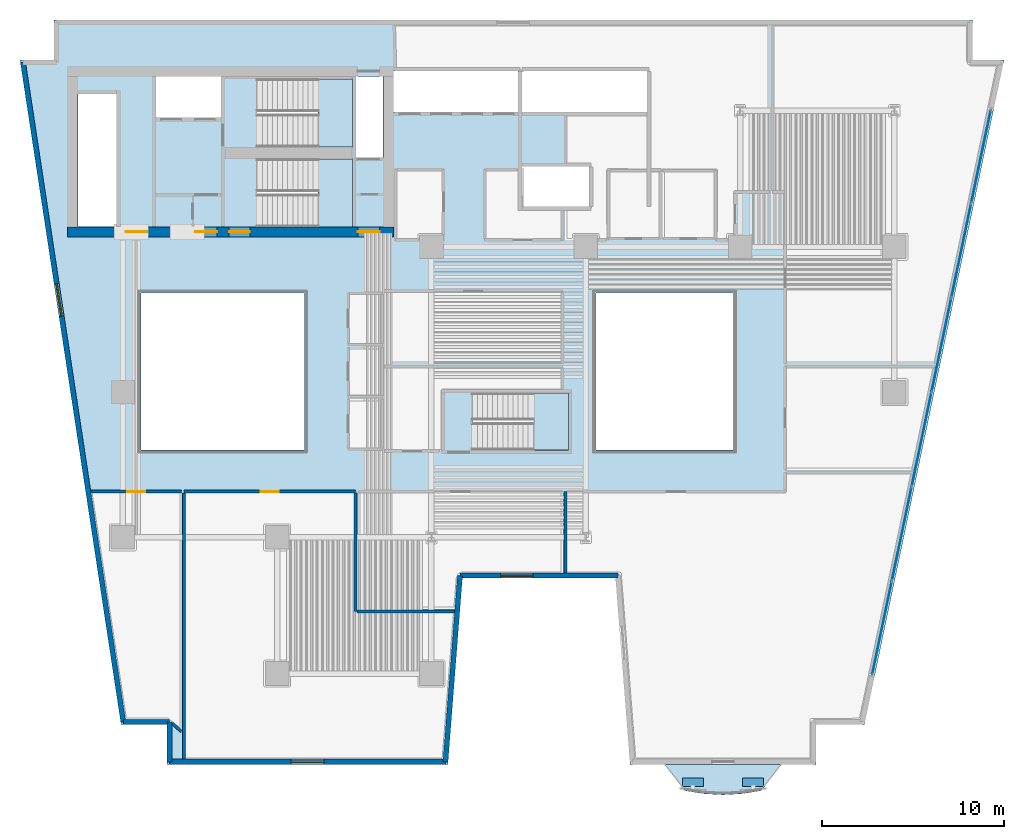
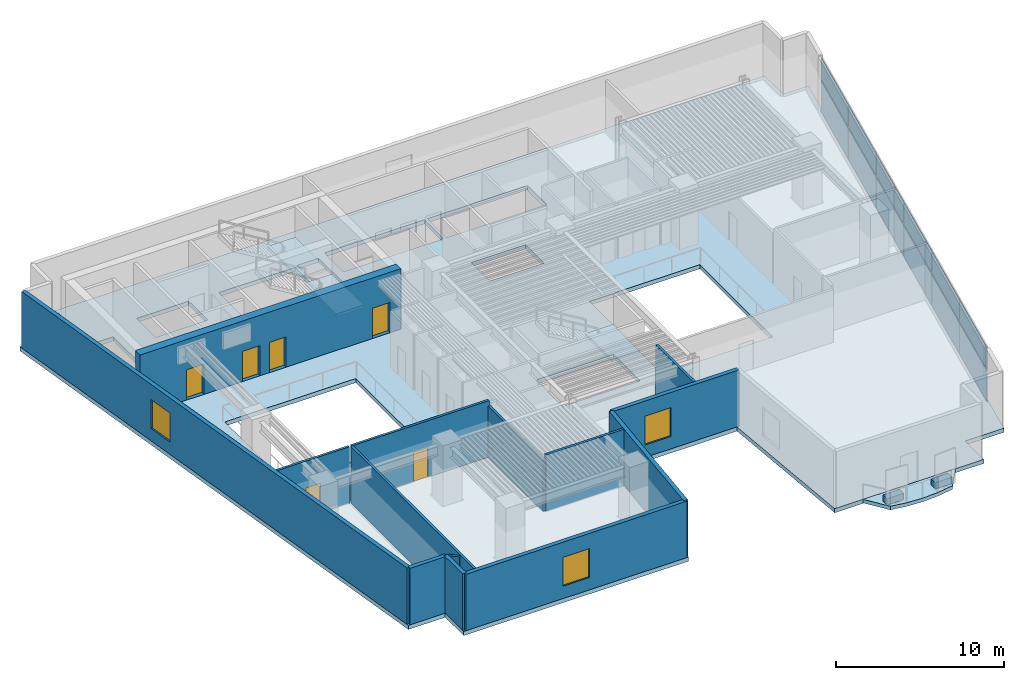
# One storey, part 3 of 12: 14 plates, 14 walls, 6 doors, 5 slabs, 3 windows, 9 openings, 4 elements without a shape of their own.
"""IFC4 building model written with IfcOpenShell, lengths in metres."""

from ifc_helpers import new_model, si_unit, direction, frame, frame_2d, origin, origin_2d, place, context, subcontext, project, spatial, polyline, rectangle, outline, extrude, material, layer, layer_set, type_object, element, fill, aggregate, save


model = new_model("IFC4")

# Units and contexts
model_context = context("Model", 3, precision=1e-05, world=origin(), true_north=direction((0.0, 1.0)))
body_context = subcontext(model_context, "Body", "Model", "MODEL_VIEW")
ifc_project = project(units=[si_unit("LENGTHUNIT", "METRE"), si_unit("AREAUNIT", "SQUARE_METRE"), si_unit("VOLUMEUNIT", "CUBIC_METRE"), si_unit("PLANEANGLEUNIT", "RADIAN"), si_unit("MASSUNIT", "GRAM", prefix="KILO")], contexts=[model_context])

# Site, building, storey
site_placement = place(None, origin())
site = spatial("IfcSite", under=ifc_project, at=site_placement, CompositionType="ELEMENT")
building_placement = place(site_placement, origin())
building = spatial("IfcBuilding", under=site, at=building_placement, Name="Caeloran Harvest Quay", CompositionType="ELEMENT")
storey_placement = place(building_placement, frame((0.0, 0.0, 71.0)))
storey = spatial("IfcBuildingStorey", under=building, at=storey_placement, Name="L16", CompositionType="ELEMENT", Elevation=71.0)

# Slab
ifc_material_1 = material(Name="Concrete C50/60", Category="concrete")
ifc_layer_1 = layer(ifc_material_1, 0.260009765625, Name="Concrete C50/60")
ifc_layer_set_1 = layer_set([ifc_layer_1], Name="Concrete C50/60")
slab_type_1 = type_object("IfcSlabType", Name="BALCONY-BL-260", PredefinedType="FLOOR", material=ifc_layer_set_1)
slab_1_placement = place(storey_placement, frame((0.0, 0.0, -0.260009765625)))
element("IfcSlab", 1, at=slab_1_placement, inside=storey, type_object=slab_type_1, Name="L16 Scalloped Cantilevered Planted Balcony Slab", PredefinedType="FLOOR", context=body_context, shape_type="SweptSolid", body=[
    extrude(outline(polyline([(43.686767578125, 1.053466796875), (42.622802734375, 0.880126953125), (41.55859375, 0.81689453125), (40.494384765625, 0.880126953125), (39.43017578125, 1.053466796875), (38.380615234375, 2.5), (44.736572265625, 2.5), (43.686767578125, 1.053466796875)])), origin(), (0.0, 0.0, 1.0), 0.260009765625),
])

# Curtain wall, plates
ifc_material_2 = material(Name="Aluminium 6063-T6 and Low-E Glazing", Category="aluminium")
ifc_layer_2 = layer(ifc_material_2, 0.199951171875, Name="Aluminium 6063-T6 and Low-E Glazing")
ifc_layer_set_2 = layer_set([ifc_layer_2], Name="Aluminium 6063-T6 and Low-E Glazing")
curtain_wall_type = type_object("IfcCurtainWallType", Name="CW-SYS-CW-2", PredefinedType="USERDEFINED", material=ifc_layer_set_2)
curtain_wall_placement = place(storey_placement, origin())
curtain_wall = element("IfcCurtainWall", 2, at=curtain_wall_placement, inside=storey, type_object=curtain_wall_type, Name="L16 Unitised Curtain Wall CW-2 Run 9", ObjectType="CURTAIN_WALL", PredefinedType="USERDEFINED")
ifc_material_3 = material(Name="Low-E Double Glazed Vision Glass Unit", Category="glass")
ifc_layer_3 = layer(ifc_material_3, 0.035888671875, Name="Low-E Double Glazed Vision Glass Unit")
ifc_layer_set_3 = layer_set([ifc_layer_3], Name="Low-E Double Glazed Vision Glass Unit")
plate_type_1 = type_object("IfcPlateType", Name="CW-VISION-PANEL", PredefinedType="CURTAIN_PANEL", material=ifc_layer_set_3)
plate_1_placement = place(storey_placement, frame((55.780029296875, 35.993408203125, 0.080078125), z_axis=(0.0, 0.0, 1.0), x_axis=(-0.205582960081, -0.978639691881, 0.0)))
plate_1 = element("IfcPlate", 3, at=plate_1_placement, type_object=plate_type_1, Name="CW-2 panel 1.1", PredefinedType="CURTAIN_PANEL", context=body_context, shape_type="SweptSolid", body=[
    extrude(rectangle(XDim=5.19873046875, YDim=0.035888671875, at=origin_2d()), origin(), (0.0, 0.0, 1.0), 2.280029296875),
])
plate_2_placement = place(storey_placement, frame((55.780029296875, 35.993408203125, 2.43994140625), z_axis=(0.0, 0.0, 1.0), x_axis=(-0.205582960081, -0.978639691881, 0.0)))
plate_2 = element("IfcPlate", 4, at=plate_2_placement, type_object=plate_type_1, Name="CW-2 panel 1.2", PredefinedType="CURTAIN_PANEL", context=body_context, shape_type="SweptSolid", body=[
    extrude(rectangle(XDim=5.19873046875, YDim=0.035888671875, at=origin_2d()), origin(), (0.0, 0.0, 1.0), 1.580078125),
])
plate_3_placement = place(storey_placement, frame((54.690673828125, 30.807861328125, 0.080078125), z_axis=(0.0, 0.0, 1.0), x_axis=(-0.205582960081, -0.978639691881, 0.0)))
plate_3 = element("IfcPlate", 5, at=plate_3_placement, type_object=plate_type_1, Name="CW-2 panel 2.1", PredefinedType="CURTAIN_PANEL", context=body_context, shape_type="SweptSolid", body=[
    extrude(rectangle(XDim=5.23876953125, YDim=0.035888671875, at=origin_2d()), origin(), (0.0, 0.0, 1.0), 2.280029296875),
])
plate_4_placement = place(storey_placement, frame((54.690673828125, 30.807861328125, 2.43994140625), z_axis=(0.0, 0.0, 1.0), x_axis=(-0.205582960081, -0.978639691881, 0.0)))
plate_4 = element("IfcPlate", 6, at=plate_4_placement, type_object=plate_type_1, Name="CW-2 panel 2.2", PredefinedType="CURTAIN_PANEL", context=body_context, shape_type="SweptSolid", body=[
    extrude(rectangle(XDim=5.23876953125, YDim=0.035888671875, at=origin_2d()), origin(), (0.0, 0.0, 1.0), 1.580078125),
])
plate_5_placement = place(storey_placement, frame((53.59716796875, 25.6025390625, 0.080078125), z_axis=(0.0, 0.0, 1.0), x_axis=(-0.205582960081, -0.978639691881, 0.0)))
plate_5 = element("IfcPlate", 7, at=plate_5_placement, type_object=plate_type_1, Name="CW-2 panel 3.1", PredefinedType="CURTAIN_PANEL", context=body_context, shape_type="SweptSolid", body=[
    extrude(rectangle(XDim=5.23876953125, YDim=0.035888671875, at=origin_2d()), origin(), (0.0, 0.0, 1.0), 2.280029296875),
])
plate_6_placement = place(storey_placement, frame((53.59716796875, 25.6025390625, 2.43994140625), z_axis=(0.0, 0.0, 1.0), x_axis=(-0.205582960081, -0.978639691881, 0.0)))
plate_6 = element("IfcPlate", 8, at=plate_6_placement, type_object=plate_type_1, Name="CW-2 panel 3.2", PredefinedType="CURTAIN_PANEL", context=body_context, shape_type="SweptSolid", body=[
    extrude(rectangle(XDim=5.23876953125, YDim=0.035888671875, at=origin_2d()), origin(), (0.0, 0.0, 1.0), 1.580078125),
])
plate_7_placement = place(storey_placement, frame((52.503662109375, 20.3974609375, 0.080078125), z_axis=(0.0, 0.0, 1.0), x_axis=(-0.205582960081, -0.978639691881, 0.0)))
plate_7 = element("IfcPlate", 9, at=plate_7_placement, type_object=plate_type_1, Name="CW-2 panel 4.1", PredefinedType="CURTAIN_PANEL", context=body_context, shape_type="SweptSolid", body=[
    extrude(rectangle(XDim=5.23876953125, YDim=0.035888671875, at=origin_2d()), origin(), (0.0, 0.0, 1.0), 2.280029296875),
])
plate_8_placement = place(storey_placement, frame((52.503662109375, 20.3974609375, 2.43994140625), z_axis=(0.0, 0.0, 1.0), x_axis=(-0.205582960081, -0.978639691881, 0.0)))
plate_8 = element("IfcPlate", 10, at=plate_8_placement, type_object=plate_type_1, Name="CW-2 panel 4.2", PredefinedType="CURTAIN_PANEL", context=body_context, shape_type="SweptSolid", body=[
    extrude(rectangle(XDim=5.23876953125, YDim=0.035888671875, at=origin_2d()), origin(), (0.0, 0.0, 1.0), 1.580078125),
])
plate_9_placement = place(storey_placement, frame((51.41015625, 15.192138671875, 0.080078125), z_axis=(0.0, 0.0, 1.0), x_axis=(-0.205582960081, -0.978639691881, 0.0)))
plate_9 = element("IfcPlate", 11, at=plate_9_placement, type_object=plate_type_1, Name="CW-2 panel 5.1", PredefinedType="CURTAIN_PANEL", context=body_context, shape_type="SweptSolid", body=[
    extrude(rectangle(XDim=5.23876953125, YDim=0.035888671875, at=origin_2d()), origin(), (0.0, 0.0, 1.0), 2.280029296875),
])
plate_10_placement = place(storey_placement, frame((51.41015625, 15.192138671875, 2.43994140625), z_axis=(0.0, 0.0, 1.0), x_axis=(-0.205582960081, -0.978639691881, 0.0)))
plate_10 = element("IfcPlate", 12, at=plate_10_placement, type_object=plate_type_1, Name="CW-2 panel 5.2", PredefinedType="CURTAIN_PANEL", context=body_context, shape_type="SweptSolid", body=[
    extrude(rectangle(XDim=5.23876953125, YDim=0.035888671875, at=origin_2d()), origin(), (0.0, 0.0, 1.0), 1.580078125),
])
plate_11_placement = place(storey_placement, frame((50.321044921875, 10.006591796875, 0.080078125), z_axis=(0.0, 0.0, 1.0), x_axis=(-0.205582960081, -0.978639691881, 0.0)))
plate_11 = element("IfcPlate", 13, at=plate_11_placement, type_object=plate_type_1, Name="CW-2 panel 6.1", PredefinedType="CURTAIN_PANEL", context=body_context, shape_type="SweptSolid", body=[
    extrude(rectangle(XDim=5.19873046875, YDim=0.035888671875, at=origin_2d()), origin(), (0.0, 0.0, 1.0), 2.280029296875),
])
plate_12_placement = place(storey_placement, frame((50.321044921875, 10.006591796875, 2.43994140625), z_axis=(0.0, 0.0, 1.0), x_axis=(-0.205582960081, -0.978639691881, 0.0)))
plate_12 = element("IfcPlate", 14, at=plate_12_placement, type_object=plate_type_1, Name="CW-2 panel 6.2", PredefinedType="CURTAIN_PANEL", context=body_context, shape_type="SweptSolid", body=[
    extrude(rectangle(XDim=5.19873046875, YDim=0.035888671875, at=origin_2d()), origin(), (0.0, 0.0, 1.0), 1.580078125),
])
aggregate(curtain_wall, [plate_1, plate_2, plate_3, plate_4, plate_5, plate_6, plate_7, plate_8, plate_9, plate_10, plate_11, plate_12])

# Plates
ifc_material_4 = material(Name="Precast concrete C50/60", Category="concrete")
ifc_layer_4 = layer(ifc_material_4, 0.449951171875, Name="Precast concrete C50/60")
ifc_layer_set_4 = layer_set([ifc_layer_4], Name="Precast concrete C50/60")
plate_type_2 = type_object("IfcPlateType", Name="PLANTER-TROUGH-450", PredefinedType="USERDEFINED", material=ifc_layer_set_4)
for number, where, z_axis, x_axis, name in (
    (15, (43.218505859375, 1.509521484375, 0.0), (0.0, 0.0, 1.0), (1.0, 0.0, 0.0), "L16 Balcony Vertical-Greenery Precast PLANTER Trough 1"),
    (16, (39.8984375, 1.509521484375, 0.0), (0.0, 0.0, 1.0), (1.0, 0.0, 0.0), "L16 Balcony Vertical-Greenery Precast PLANTER Trough 2"),
):
    element("IfcPlate", number, at=place(storey_placement, frame(where, z_axis=z_axis, x_axis=x_axis)), inside=storey, type_object=plate_type_2, Name=name, ObjectType="PLANTER", PredefinedType="USERDEFINED", context=body_context, shape_type="SweptSolid", body=[
        extrude(rectangle(XDim=1.14990234375, YDim=0.47998046875, at=origin_2d()), origin(), (0.0, 0.0, 1.0), 0.449951171875),
    ])

# Slab
ifc_layer_5 = layer(ifc_material_1, 0.300048828125, Name="Concrete C50/60")
ifc_layer_set_5 = layer_set([ifc_layer_5], Name="Concrete C50/60")
slab_type_2 = type_object("IfcSlabType", Name="SLAB-FS-300", PredefinedType="FLOOR", material=ifc_layer_set_5)
slab_2_placement = place(storey_placement, frame((0.0, 0.0, -0.300048828125)))
element("IfcSlab", 17, at=slab_2_placement, inside=storey, type_object=slab_type_2, Name="L16 Structural Floor Slab", PredefinedType="FLOOR", context=body_context, shape_type="SweptSolid", body=[
    extrude(outline(polyline([(10.93701171875, 2.5), (26.403076171875, 2.5), (27.202880859375, 12.75), (35.640380859375, 12.75), (36.4404296875, 2.5), (46.68701171875, 2.5), (46.68701171875, 4.699951171875), (49.34912109375, 4.699951171875), (57.037841796875, 41.300048828125), (55.300048828125, 41.300048828125), (55.300048828125, 43.5), (4.699951171875, 43.5), (4.699951171875, 41.300048828125), (2.834716796875, 41.300048828125), (8.40234375, 4.699951171875), (10.93701171875, 4.699951171875), (10.93701171875, 2.5)]), holes=[polyline([(18.5, 19.800048828125), (9.5, 19.800048828125), (9.5, 28.449951171875), (18.5, 28.449951171875), (18.5, 19.800048828125)]), polyline([(15.89990234375, 32.10009765625), (15.89990234375, 35.85009765625), (21.14990234375, 35.85009765625), (21.14990234375, 32.10009765625), (15.89990234375, 32.10009765625)]), polyline([(8.159912109375, 32.1201171875), (6.02001953125, 32.1201171875), (6.02001953125, 39.419921875), (8.159912109375, 39.419921875), (8.159912109375, 32.1201171875)]), polyline([(21.35009765625, 35.919921875), (21.35009765625, 40.3798828125), (22.830078125, 40.3798828125), (22.830078125, 35.919921875), (21.35009765625, 35.919921875)]), polyline([(15.89990234375, 40.25), (21.14990234375, 40.25), (21.14990234375, 36.5), (15.89990234375, 36.5), (15.89990234375, 40.25)]), polyline([(13.89990234375, 38.1201171875), (10.320068359375, 38.1201171875), (10.320068359375, 40.3798828125), (13.89990234375, 40.3798828125), (13.89990234375, 38.1201171875)]), polyline([(27.75, 22.949951171875), (33.050048828125, 22.949951171875), (33.050048828125, 19.800048828125), (27.75, 19.800048828125), (27.75, 22.949951171875)]), polyline([(34.550048828125, 19.800048828125), (34.550048828125, 28.449951171875), (42.14990234375, 28.449951171875), (42.14990234375, 19.800048828125), (34.550048828125, 19.800048828125)]), polyline([(34.199951171875, 33.219970703125), (30.47998046875, 33.219970703125), (30.47998046875, 35.429931640625), (34.199951171875, 35.429931640625), (34.199951171875, 33.219970703125)]), polyline([(23.419921875, 38.419921875), (23.419921875, 40.679931640625), (30.280029296875, 40.679931640625), (30.280029296875, 38.419921875), (23.419921875, 38.419921875)]), polyline([(30.47998046875, 38.419921875), (30.47998046875, 40.679931640625), (37.3798828125, 40.679931640625), (37.3798828125, 38.419921875), (30.47998046875, 38.419921875)])]), origin(), (0.0, 0.0, 1.0), 0.300048828125),
])

# Stair, slab
stair_type_1 = type_object("IfcStairType", Name="STAIR-STC-180", PredefinedType="HALF_TURN_STAIR", material=ifc_material_1)
stair_1_placement = place(storey_placement, origin())
stair_1 = element("IfcStair", 18, at=stair_1_placement, inside=storey, type_object=stair_type_1, Name="L16 Core Pressurized Exit Stair ST-C1", PredefinedType="HALF_TURN_STAIR")
ifc_layer_6 = layer(ifc_material_1, 0.219970703125, Name="Concrete C50/60")
ifc_layer_set_6 = layer_set([ifc_layer_6], Name="Concrete C50/60")
slab_type_3 = type_object("IfcSlabType", Name="STAIR-LANDING-220", PredefinedType="LANDING", material=ifc_layer_set_6)
slab_3_placement = place(storey_placement, frame((0.0, 0.0, 2.0)))
slab_3 = element("IfcSlab", 19, at=slab_3_placement, type_object=slab_type_3, Name="ST-C1 landing 1", PredefinedType="LANDING", context=body_context, shape_type="SweptSolid", body=[
    extrude(outline(polyline([(19.260009765625, 36.5), (21.14990234375, 36.5), (21.14990234375, 40.25), (19.260009765625, 40.25), (19.260009765625, 36.5)])), origin(), (0.0, 0.0, 1.0), 0.199951171875),
])
aggregate(stair_1, [slab_3])

stair_2_placement = place(storey_placement, origin())
stair_2 = element("IfcStair", 20, at=stair_2_placement, inside=storey, type_object=stair_type_1, Name="L16 Core Pressurized Exit Stair ST-C2", PredefinedType="HALF_TURN_STAIR")
slab_4_placement = place(storey_placement, frame((0.0, 0.0, 2.0)))
slab_4 = element("IfcSlab", 21, at=slab_4_placement, type_object=slab_type_3, Name="ST-C2 landing 1", PredefinedType="LANDING", context=body_context, shape_type="SweptSolid", body=[
    extrude(outline(polyline([(19.260009765625, 32.10009765625), (21.14990234375, 32.10009765625), (21.14990234375, 35.85009765625), (19.260009765625, 35.85009765625), (19.260009765625, 32.10009765625)])), origin(), (0.0, 0.0, 1.0), 0.199951171875),
])
aggregate(stair_2, [slab_4])

stair_type_2 = type_object("IfcStairType", Name="STAIR-STW-150", PredefinedType="HALF_TURN_STAIR", material=ifc_material_1)
stair_3_placement = place(storey_placement, origin())
stair_3 = element("IfcStair", 22, at=stair_3_placement, inside=storey, type_object=stair_type_2, Name="L16 East Wing Protected Exit Stair ST-W1", PredefinedType="HALF_TURN_STAIR")
slab_5_placement = place(storey_placement, frame((0.0, 0.0, 2.0)))
slab_5 = element("IfcSlab", 23, at=slab_5_placement, type_object=slab_type_3, Name="ST-W1 landing 1", PredefinedType="LANDING", context=body_context, shape_type="SweptSolid", body=[
    extrude(outline(polyline([(31.110107421875, 19.800048828125), (33.050048828125, 19.800048828125), (33.050048828125, 22.949951171875), (31.110107421875, 22.949951171875), (31.110107421875, 19.800048828125)])), origin(), (0.0, 0.0, 1.0), 0.199951171875),
])
aggregate(stair_3, [slab_5])

# Walls
ifc_layer_7 = layer(ifc_material_4, 0.280029296875, Name="Precast concrete C50/60")
ifc_layer_set_7 = layer_set([ifc_layer_7], Name="Precast concrete C50/60")
wall_type_1 = type_object("IfcWallType", Name="ENV-WALL-EW-280", PredefinedType="STANDARD", material=ifc_layer_set_7)
wall_1_placement = place(storey_placement, frame((11.076904296875, 2.639892578125, 0.0), z_axis=(0.0, 0.0, 1.0), x_axis=(0.0, 1.0, 0.0)))
element("IfcWall", 24, at=wall_1_placement, inside=storey, type_object=wall_type_1, Name="L16 Exterior Precast Concrete Facade Wall 1", PredefinedType="STANDARD", context=body_context, shape_type="SweptSolid", body=[
    extrude(rectangle(XDim=2.2001953125, YDim=0.280029296875, at=frame_2d((1.10009765625, 0.0))), origin(), (0.0, 0.0, 1.0), 4.10009765625),
])
wall_2_placement = place(storey_placement, frame((11.076904296875, 4.840087890625, 0.0), z_axis=(0.0, 0.0, 1.0), x_axis=(-1.0, 0.0, 0.0)))
element("IfcWall", 25, at=wall_2_placement, inside=storey, type_object=wall_type_1, Name="L16 Exterior Precast Concrete Facade Wall 2", PredefinedType="STANDARD", context=body_context, shape_type="SweptSolid", body=[
    extrude(rectangle(XDim=2.55419921875, YDim=0.280029296875, at=frame_2d((1.277099609375, 0.0))), origin(), (0.0, 0.0, 1.0), 4.10009765625),
])

# Wall, opening, window
wall_3_placement = place(storey_placement, frame((8.522705078125, 4.840087890625, 0.0), z_axis=(0.0, 0.0, 1.0), x_axis=(-0.150394554312, 0.988626055712, 0.0)))
wall_3 = element("IfcWall", 26, at=wall_3_placement, inside=storey, type_object=wall_type_1, Name="L16 Exterior Precast Concrete Facade Wall 3", PredefinedType="STANDARD", context=body_context, shape_type="SweptSolid", body=[
    extrude(rectangle(XDim=36.73779296875, YDim=0.280029296875, at=frame_2d((18.368896484375, 0.0))), origin(), (0.0, 0.0, 1.0), 4.10009765625),
])
opening_1_placement = place(wall_3_placement, frame((22.612060546875, 0.0, 0.89990234375)))
opening_1 = element("IfcOpeningElement", 27, at=opening_1_placement, cuts=wall_3, Name="Opening W-01", PredefinedType="OPENING", context=body_context, shape_type="SweptSolid", body=[
    extrude(rectangle(XDim=1.800048828125, YDim=2.10009765625, at=frame_2d((0.89990234375, 1.050048828125))), frame((0.0, 0.14990234375, 0.0), z_axis=(0.0, -1.0, 0.0), x_axis=(1.0, 0.0, 0.0)), (0.0, 0.0, 1.0), 0.300048828125),
])
ifc_material_5 = material(Name="Aluminium-Framed Low-E Laminated Glass", Category="aluminium")
window_type = type_object("IfcWindowType", Name="WIN-W-01", PartitioningType="SINGLE_PANEL", PredefinedType="WINDOW", material=ifc_material_5)
window_1_placement = place(opening_1_placement, origin())
window_1 = element("IfcWindow", 28, at=window_1_placement, inside=storey, type_object=window_type, Name="L16 Facade Punched Window W-01", OverallHeight=2.10009765625, OverallWidth=1.800048828125, PartitioningType="SINGLE_PANEL", PredefinedType="WINDOW", context=body_context, shape_type="SweptSolid", body=[
    extrude(rectangle(XDim=1.800048828125, YDim=2.10009765625, at=frame_2d((0.89990234375, 1.050048828125))), frame((0.0, 0.030029296875, 0.0), z_axis=(0.0, -1.0, 0.0), x_axis=(1.0, 0.0, 0.0)), (0.0, 0.0, 1.0), 0.06005859375),
])
fill(opening_1, window_1)

wall_4_placement = place(storey_placement, frame((35.77001953125, 12.889892578125, 0.0), z_axis=(0.0, 0.0, 1.0), x_axis=(-1.0, 0.0, 0.0)))
wall_4 = element("IfcWall", 29, at=wall_4_placement, inside=storey, type_object=wall_type_1, Name="L16 Exterior Precast Concrete Facade Wall 14", PredefinedType="STANDARD", context=body_context, shape_type="SweptSolid", body=[
    extrude(rectangle(XDim=8.696533203125, YDim=0.280029296875, at=frame_2d((4.34814453125, 0.0))), origin(), (0.0, 0.0, 1.0), 4.10009765625),
])
opening_2_placement = place(wall_4_placement, frame((4.666015625, 0.0, 0.89990234375)))
opening_2 = element("IfcOpeningElement", 30, at=opening_2_placement, cuts=wall_4, Name="Opening W-01", PredefinedType="OPENING", context=body_context, shape_type="SweptSolid", body=[
    extrude(rectangle(XDim=1.800048828125, YDim=2.10009765625, at=frame_2d((0.89990234375, 1.050048828125))), frame((0.0, 0.14990234375, 0.0), z_axis=(0.0, -1.0, 0.0), x_axis=(1.0, 0.0, 0.0)), (0.0, 0.0, 1.0), 0.300048828125),
])
window_2_placement = place(opening_2_placement, origin())
window_2 = element("IfcWindow", 31, at=window_2_placement, inside=storey, type_object=window_type, Name="L16 Facade Punched Window W-01", OverallHeight=2.10009765625, OverallWidth=1.800048828125, PartitioningType="SINGLE_PANEL", PredefinedType="WINDOW", context=body_context, shape_type="SweptSolid", body=[
    extrude(rectangle(XDim=1.800048828125, YDim=2.10009765625, at=frame_2d((0.89990234375, 1.050048828125))), frame((0.0, 0.030029296875, 0.0), z_axis=(0.0, -1.0, 0.0), x_axis=(1.0, 0.0, 0.0)), (0.0, 0.0, 1.0), 0.06005859375),
])
fill(opening_2, window_2)

# Wall
wall_5_placement = place(storey_placement, frame((27.073486328125, 12.889892578125, 0.0), z_axis=(0.0, 0.0, 1.0), x_axis=(-0.077816860153, -0.996967670627, 0.0)))
element("IfcWall", 32, at=wall_5_placement, inside=storey, type_object=wall_type_1, Name="L16 Exterior Precast Concrete Facade Wall 15", PredefinedType="STANDARD", context=body_context, shape_type="SweptSolid", body=[
    extrude(rectangle(XDim=10.28125, YDim=0.280029296875, at=frame_2d((5.140625, 0.0))), origin(), (0.0, 0.0, 1.0), 4.10009765625),
])

# Wall, opening, window
wall_6_placement = place(storey_placement, frame((26.2734375, 2.639892578125, 0.0), z_axis=(0.0, 0.0, 1.0), x_axis=(-1.0, 0.0, 0.0)))
wall_6 = element("IfcWall", 33, at=wall_6_placement, inside=storey, type_object=wall_type_1, Name="L16 Exterior Precast Concrete Facade Wall 16", PredefinedType="STANDARD", context=body_context, shape_type="SweptSolid", body=[
    extrude(rectangle(XDim=15.196533203125, YDim=0.280029296875, at=frame_2d((7.59814453125, 0.0))), origin(), (0.0, 0.0, 1.0), 4.10009765625),
])
opening_3_placement = place(wall_6_placement, frame((6.697998046875, 0.0, 0.89990234375)))
opening_3 = element("IfcOpeningElement", 34, at=opening_3_placement, cuts=wall_6, Name="Opening W-01", PredefinedType="OPENING", context=body_context, shape_type="SweptSolid", body=[
    extrude(rectangle(XDim=1.800048828125, YDim=2.10009765625, at=frame_2d((0.89990234375, 1.050048828125))), frame((0.0, 0.14990234375, 0.0), z_axis=(0.0, -1.0, 0.0), x_axis=(1.0, 0.0, 0.0)), (0.0, 0.0, 1.0), 0.300048828125),
])
window_3_placement = place(opening_3_placement, origin())
window_3 = element("IfcWindow", 35, at=window_3_placement, inside=storey, type_object=window_type, Name="L16 Facade Punched Window W-01", OverallHeight=2.10009765625, OverallWidth=1.800048828125, PartitioningType="SINGLE_PANEL", PredefinedType="WINDOW", context=body_context, shape_type="SweptSolid", body=[
    extrude(rectangle(XDim=1.800048828125, YDim=2.10009765625, at=frame_2d((0.89990234375, 1.050048828125))), frame((0.0, 0.030029296875, 0.0), z_axis=(0.0, -1.0, 0.0), x_axis=(1.0, 0.0, 0.0)), (0.0, 0.0, 1.0), 0.06005859375),
])
fill(opening_3, window_3)

# Wall, opening, door
ifc_material_6 = material(Name="Autoclaved Aerated Concrete Blockwork", Category="masonry")
ifc_layer_8 = layer(ifc_material_6, 0.1650390625, Name="Autoclaved Aerated Concrete Blockwork")
ifc_layer_set_8 = layer_set([ifc_layer_8], Name="Autoclaved Aerated Concrete Blockwork")
wall_type_2 = type_object("IfcWallType", Name="INT-WALL-PW-165", PredefinedType="PARTITIONING", material=ifc_layer_set_8)
wall_7_placement = place(storey_placement, frame((11.8798828125, 17.52001953125, 0.0), z_axis=(0.0, 0.0, 1.0), x_axis=(1.0, 0.0, 0.0)))
wall_7 = element("IfcWall", 36, at=wall_7_placement, inside=storey, type_object=wall_type_2, Name="Dwarf Citrus Mezzanine Growing Hall Partition Wall", PredefinedType="PARTITIONING", context=body_context, shape_type="SweptSolid", body=[
    extrude(rectangle(XDim=9.440185546875, YDim=0.1650390625, at=frame_2d((4.72021484375, 0.0))), origin(), (0.0, 0.0, 1.0), 4.10009765625),
])
opening_4_placement = place(wall_7_placement, frame((4.219970703125, 0.0, 0.0)))
opening_4 = element("IfcOpeningElement", 37, at=opening_4_placement, cuts=wall_7, Name="Opening ID-01", PredefinedType="OPENING", context=body_context, shape_type="SweptSolid", body=[
    extrude(rectangle(XDim=1.0, YDim=2.14990234375, at=frame_2d((0.5, 1.074951171875))), frame((0.0, 0.092529296875, 0.0), z_axis=(0.0, -1.0, 0.0), x_axis=(1.0, 0.0, 0.0)), (0.0, 0.0, 1.0), 0.18505859375),
])
ifc_material_7 = material(Name="FSC Solid-Core Ash Timber and Acoustic Seal", Category="wood")
door_type_1 = type_object("IfcDoorType", Name="INTDOOR-ID-01", OperationType="NOTDEFINED", PredefinedType="DOOR", material=ifc_material_7)
door_1_placement = place(opening_4_placement, origin())
door_1 = element("IfcDoor", 38, at=door_1_placement, inside=storey, type_object=door_type_1, Name="Dwarf Citrus Mezzanine Growing Hall Access Door", OperationType="SINGLE_SWING_LEFT", OverallHeight=2.14990234375, OverallWidth=1.0, PredefinedType="DOOR", context=body_context, shape_type="SweptSolid", body=[
    extrude(rectangle(XDim=1.0, YDim=2.14990234375, at=frame_2d((0.5, 1.074951171875))), frame((0.0, 0.02490234375, 0.0), z_axis=(0.0, -1.0, 0.0), x_axis=(1.0, 0.0, 0.0)), (0.0, 0.0, 1.0), 0.050048828125),
])
fill(opening_4, door_1)

# Walls
wall_8_placement = place(storey_placement, frame((21.320068359375, 17.4326171875, 0.0), z_axis=(0.0, 0.0, 1.0), x_axis=(0.0, -1.0, 0.0)))
element("IfcWall", 39, at=wall_8_placement, inside=storey, type_object=wall_type_2, Name="Dwarf Citrus Mezzanine Growing Hall Partition Wall", PredefinedType="PARTITIONING", context=body_context, shape_type="SweptSolid", body=[
    extrude(rectangle(XDim=6.5126953125, YDim=0.1650390625, at=frame_2d((3.25634765625, 0.0))), origin(), (0.0, 0.0, 1.0), 3.72509765625),
])
wall_9_placement = place(storey_placement, frame((21.407470703125, 10.919921875, 0.0), z_axis=(0.0, 0.0, 1.0), x_axis=(1.0, 0.0, 0.0)))
element("IfcWall", 40, at=wall_9_placement, inside=storey, type_object=wall_type_2, Name="Dwarf Citrus Mezzanine Growing Hall Partition Wall", PredefinedType="PARTITIONING", context=body_context, shape_type="SweptSolid", body=[
    extrude(rectangle(XDim=5.366943359375, YDim=0.1650390625, at=frame_2d((2.68359375, 0.0))), origin(), (0.0, 0.0, 1.0), 4.10009765625),
])
wall_10_placement = place(storey_placement, frame((11.8798828125, 2.784912109375, 0.0), z_axis=(0.0, 0.0, 1.0), x_axis=(0.0, 1.0, 0.0)))
element("IfcWall", 41, at=wall_10_placement, inside=storey, type_object=wall_type_2, Name="Dwarf Citrus Mezzanine Growing Hall Partition Wall", PredefinedType="PARTITIONING", context=body_context, shape_type="SweptSolid", body=[
    extrude(rectangle(XDim=14.647705078125, YDim=0.1650390625, at=frame_2d((7.32373046875, 0.0))), origin(), (0.0, 0.0, 1.0), 4.10009765625),
])
wall_11_placement = place(storey_placement, frame((32.8798828125, 13.034912109375, 0.0), z_axis=(0.0, 0.0, 1.0), x_axis=(0.0, 1.0, 0.0)))
element("IfcWall", 42, at=wall_11_placement, inside=storey, type_object=wall_type_2, Name="Medicinal Plant Aeroponic Room Partition Wall", PredefinedType="PARTITIONING", context=body_context, shape_type="SweptSolid", body=[
    extrude(rectangle(XDim=4.485107421875, YDim=0.1650390625, at=frame_2d((2.24267578125, 0.0))), origin(), (0.0, 0.0, 1.0), 4.10009765625),
])
wall_12_placement = place(storey_placement, frame((11.719970703125, 4.31396484375, 0.0), z_axis=(0.0, 0.0, 1.0), x_axis=(-0.741303295748, 0.671170189827, 0.0)))
element("IfcWall", 43, at=wall_12_placement, inside=storey, type_object=wall_type_2, Name="Photobiology Spectrum Laboratory Partition Wall", PredefinedType="PARTITIONING", context=body_context, shape_type="SweptSolid", body=[
    extrude(rectangle(XDim=0.671875, YDim=0.1650390625, at=frame_2d((0.3359375, 0.0))), origin(), (0.0, 0.0, 1.0), 4.10009765625),
])

# Wall, opening, door
wall_13_placement = place(storey_placement, frame((6.740478515625, 17.52001953125, 0.0), z_axis=(0.0, 0.0, 1.0), x_axis=(1.0, 0.0, 0.0)))
wall_13 = element("IfcWall", 44, at=wall_13_placement, inside=storey, type_object=wall_type_2, Name="Photobiology Spectrum Laboratory Partition Wall", PredefinedType="PARTITIONING", context=body_context, shape_type="SweptSolid", body=[
    extrude(rectangle(XDim=4.9794921875, YDim=0.1650390625, at=frame_2d((2.48974609375, 0.0))), origin(), (0.0, 0.0, 1.0), 4.10009765625),
])
opening_5_placement = place(wall_13_placement, frame((1.98974609375, 0.0, 0.0)))
opening_5 = element("IfcOpeningElement", 45, at=opening_5_placement, cuts=wall_13, Name="Opening ID-01", PredefinedType="OPENING", context=body_context, shape_type="SweptSolid", body=[
    extrude(rectangle(XDim=1.0, YDim=2.14990234375, at=frame_2d((0.5, 1.074951171875))), frame((0.0, 0.092529296875, 0.0), z_axis=(0.0, -1.0, 0.0), x_axis=(1.0, 0.0, 0.0)), (0.0, 0.0, 1.0), 0.18505859375),
])
door_2_placement = place(opening_5_placement, origin())
door_2 = element("IfcDoor", 46, at=door_2_placement, inside=storey, type_object=door_type_1, Name="Photobiology Spectrum Laboratory Access Door", OperationType="SINGLE_SWING_LEFT", OverallHeight=2.14990234375, OverallWidth=1.0, PredefinedType="DOOR", context=body_context, shape_type="SweptSolid", body=[
    extrude(rectangle(XDim=1.0, YDim=2.14990234375, at=frame_2d((0.5, 1.074951171875))), frame((0.0, 0.02490234375, 0.0), z_axis=(0.0, -1.0, 0.0), x_axis=(1.0, 0.0, 0.0)), (0.0, 0.0, 1.0), 0.050048828125),
])
fill(opening_5, door_2)

# Wall, openings, doors
ifc_material_8 = material(Name="Concrete C80/95", Category="concrete")
ifc_layer_9 = layer(ifc_material_8, 0.550048828125, Name="Concrete C80/95")
ifc_layer_set_9 = layer_set([ifc_layer_9], Name="Concrete C80/95")
wall_type_3 = type_object("IfcWallType", Name="STR-WALL-CW-550", PredefinedType="SHEAR", material=ifc_layer_set_9)
wall_14_placement = place(storey_placement, frame((5.449951171875, 31.824951171875, 0.0), z_axis=(0.0, 0.0, 1.0), x_axis=(1.0, 0.0, 0.0)))
wall_14 = element("IfcWall", 47, at=wall_14_placement, inside=storey, type_object=wall_type_3, Name="L16 Rear Core Shear Wall S", PredefinedType="SHEAR", context=body_context, shape_type="SweptSolid", body=[
    extrude(rectangle(XDim=17.949951171875, YDim=0.550048828125, at=frame_2d((8.97509765625, 0.0))), origin(), (0.0, 0.0, 1.0), 4.39990234375),
])
opening_6_placement = place(wall_14_placement, frame((3.199951171875, 0.0, 0.0)))
opening_6 = element("IfcOpeningElement", 48, at=opening_6_placement, cuts=wall_14, Name="Opening FD-01", PredefinedType="OPENING", context=body_context, shape_type="SweptSolid", body=[
    extrude(rectangle(XDim=1.199951171875, YDim=2.199951171875, at=frame_2d((0.60009765625, 1.10009765625))), frame((0.0, 0.28515625, 0.0), z_axis=(0.0, -1.0, 0.0), x_axis=(1.0, 0.0, 0.0)), (0.0, 0.0, 1.0), 0.570068359375),
])
opening_7_placement = place(wall_14_placement, frame((7.050048828125, 0.0, 0.0)))
opening_7 = element("IfcOpeningElement", 49, at=opening_7_placement, cuts=wall_14, Name="Opening FD-01", PredefinedType="OPENING", context=body_context, shape_type="SweptSolid", body=[
    extrude(rectangle(XDim=1.199951171875, YDim=2.199951171875, at=frame_2d((0.60009765625, 1.10009765625))), frame((0.0, 0.28515625, 0.0), z_axis=(0.0, -1.0, 0.0), x_axis=(1.0, 0.0, 0.0)), (0.0, 0.0, 1.0), 0.570068359375),
])
opening_8_placement = place(wall_14_placement, frame((8.89990234375, 0.0, 0.0)))
opening_8 = element("IfcOpeningElement", 50, at=opening_8_placement, cuts=wall_14, Name="Opening SD-01", PredefinedType="OPENING", context=body_context, shape_type="SweptSolid", body=[
    extrude(rectangle(XDim=1.14990234375, YDim=2.199951171875, at=frame_2d((0.574951171875, 1.10009765625))), frame((0.0, 0.28515625, 0.0), z_axis=(0.0, -1.0, 0.0), x_axis=(1.0, 0.0, 0.0)), (0.0, 0.0, 1.0), 0.570068359375),
])
opening_9_placement = place(wall_14_placement, frame((16.0, 0.0, 0.0)))
opening_9 = element("IfcOpeningElement", 51, at=opening_9_placement, cuts=wall_14, Name="Opening FD-01", PredefinedType="OPENING", context=body_context, shape_type="SweptSolid", body=[
    extrude(rectangle(XDim=1.199951171875, YDim=2.199951171875, at=frame_2d((0.60009765625, 1.10009765625))), frame((0.0, 0.28515625, 0.0), z_axis=(0.0, -1.0, 0.0), x_axis=(1.0, 0.0, 0.0)), (0.0, 0.0, 1.0), 0.570068359375),
])
ifc_material_9 = material(Name="Steel", Category="steel")
door_type_2 = type_object("IfcDoorType", Name="INTDOOR-FD-01", OperationType="NOTDEFINED", PredefinedType="DOOR", material=ifc_material_9)
door_3_placement = place(opening_6_placement, origin())
door_3 = element("IfcDoor", 52, at=door_3_placement, inside=storey, type_object=door_type_2, Name="L16 High-Rise Lift Lobby Fire Door", OperationType="SINGLE_SWING_RIGHT", OverallHeight=2.199951171875, OverallWidth=1.199951171875, PredefinedType="DOOR", context=body_context, shape_type="SweptSolid", body=[
    extrude(rectangle(XDim=1.199951171875, YDim=2.199951171875, at=frame_2d((0.60009765625, 1.10009765625))), frame((0.0, 0.02490234375, 0.0), z_axis=(0.0, -1.0, 0.0), x_axis=(1.0, 0.0, 0.0)), (0.0, 0.0, 1.0), 0.050048828125),
])
fill(opening_6, door_3)
door_4_placement = place(opening_7_placement, origin())
door_4 = element("IfcDoor", 53, at=door_4_placement, inside=storey, type_object=door_type_2, Name="L16 Firefighting Lobby Vestibule Fire Door", OperationType="SINGLE_SWING_LEFT", OverallHeight=2.199951171875, OverallWidth=1.199951171875, PredefinedType="DOOR", context=body_context, shape_type="SweptSolid", body=[
    extrude(rectangle(XDim=1.199951171875, YDim=2.199951171875, at=frame_2d((0.60009765625, 1.10009765625))), frame((0.0, 0.02490234375, 0.0), z_axis=(0.0, -1.0, 0.0), x_axis=(1.0, 0.0, 0.0)), (0.0, 0.0, 1.0), 0.050048828125),
])
fill(opening_7, door_4)
door_5_placement = place(opening_9_placement, origin())
door_5 = element("IfcDoor", 54, at=door_5_placement, inside=storey, type_object=door_type_2, Name="L16 Service Lift Lobby Fire Door", OperationType="SINGLE_SWING_LEFT", OverallHeight=2.199951171875, OverallWidth=1.199951171875, PredefinedType="DOOR", context=body_context, shape_type="SweptSolid", body=[
    extrude(rectangle(XDim=1.199951171875, YDim=2.199951171875, at=frame_2d((0.60009765625, 1.10009765625))), frame((0.0, 0.02490234375, 0.0), z_axis=(0.0, -1.0, 0.0), x_axis=(1.0, 0.0, 0.0)), (0.0, 0.0, 1.0), 0.050048828125),
])
fill(opening_9, door_5)
door_type_3 = type_object("IfcDoorType", Name="INTDOOR-SD-01", OperationType="NOTDEFINED", PredefinedType="DOOR", material=ifc_material_9)
door_6_placement = place(opening_8_placement, origin())
door_6 = element("IfcDoor", 55, at=door_6_placement, inside=storey, type_object=door_type_3, Name="L16 Protected Stair ST-C2 Exit Door", OperationType="SINGLE_SWING_RIGHT", OverallHeight=2.199951171875, OverallWidth=1.14990234375, PredefinedType="DOOR", context=body_context, shape_type="SweptSolid", body=[
    extrude(rectangle(XDim=1.14990234375, YDim=2.199951171875, at=frame_2d((0.574951171875, 1.10009765625))), frame((0.0, 0.02490234375, 0.0), z_axis=(0.0, -1.0, 0.0), x_axis=(1.0, 0.0, 0.0)), (0.0, 0.0, 1.0), 0.050048828125),
])
fill(opening_8, door_6)

save(model, "model.ifc")
